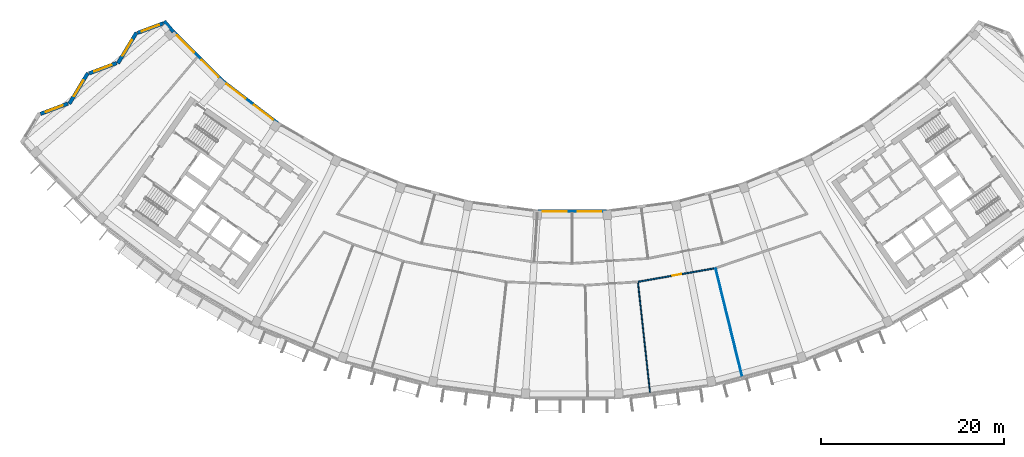
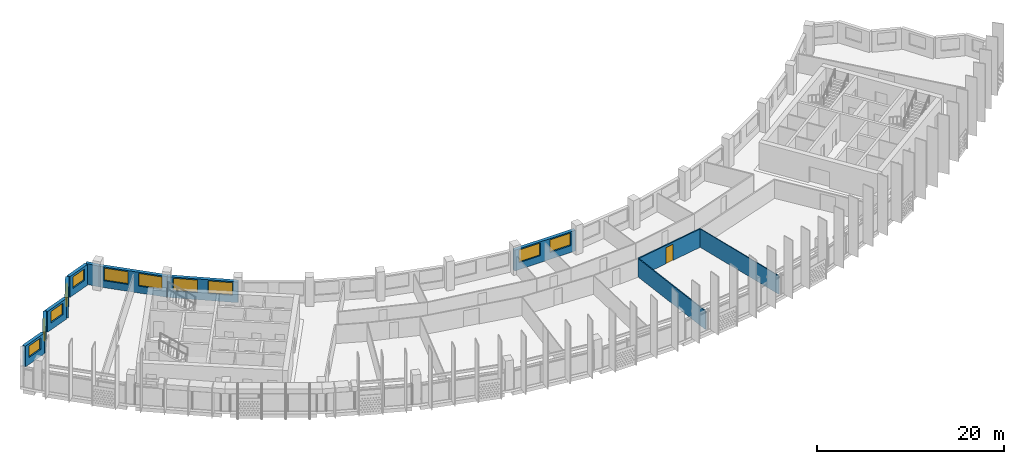
# One storey, part 5 of 28: 12 walls, 11 windows, 1 door, 12 openings.
"""IFC4 building model written with IfcOpenShell, lengths in metres."""

from ifc_helpers import new_model, si_unit, direction, frame, frame_2d, origin, place, context, subcontext, project, spatial, rectangle, extrude, material, layer, layer_set, type_object, element, fill, save


model = new_model("IFC4")

# Units and contexts
model_context = context("Model", 3, precision=1e-05, world=origin(), true_north=direction((0.0, 1.0)))
body_context = subcontext(model_context, "Body", "Model", "MODEL_VIEW")
ifc_project = project(units=[si_unit("LENGTHUNIT", "METRE"), si_unit("AREAUNIT", "SQUARE_METRE"), si_unit("VOLUMEUNIT", "CUBIC_METRE"), si_unit("PLANEANGLEUNIT", "RADIAN"), si_unit("MASSUNIT", "GRAM", prefix="KILO")], contexts=[model_context])

# Site, building, storey
site_placement = place(None, origin())
site = spatial("IfcSite", under=ifc_project, at=site_placement, CompositionType="ELEMENT")
building_placement = place(site_placement, origin())
building = spatial("IfcBuilding", under=site, at=building_placement, Name="Qamariyya Broadcast Tower", CompositionType="ELEMENT")
storey_placement = place(building_placement, frame((0.0, 0.0, 265.699951171875)))
storey = spatial("IfcBuildingStorey", under=building, at=storey_placement, Name="L64", CompositionType="ELEMENT", Elevation=265.699951171875)

# Wall, opening, door
ifc_material_1 = material(Name="Gypsum board partition")
ifc_layer_1 = layer(ifc_material_1, 0.14990234375)
ifc_layer_set_1 = layer_set([ifc_layer_1], Name="Corridor partition 150 EI 60")
wall_type_1 = type_object("IfcWallType", Name="Corridor partition 150 EI 60", PredefinedType="PARTITIONING", material=ifc_layer_set_1)
wall_1_placement = place(storey_placement, frame((15.637939453125, -63.914794921875, 0.0), z_axis=(0.0, 0.0, 1.0), x_axis=(-0.984812101115, -0.173623516545, 0.0)))
wall_1 = element("IfcWall", 1, at=wall_1_placement, inside=storey, type_object=wall_type_1, Name="Partition L64-020", PredefinedType="PARTITIONING", context=body_context, shape_type="SweptSolid", body=[
    extrude(rectangle(XDim=8.60693359375, YDim=0.14990234375, at=frame_2d((4.303466796875, 0.0))), origin(), (0.0, 0.0, 1.0), 2.400146484375),
])
opening_1_placement = place(wall_1_placement, frame((3.803466796875, 0.0, 0.0)))
opening_1 = element("IfcOpeningElement", 2, at=opening_1_placement, cuts=wall_1, Name="Opening L64-D06", PredefinedType="OPENING", context=body_context, shape_type="SweptSolid", body=[
    extrude(rectangle(XDim=1.0, YDim=2.10009765625, at=frame_2d((0.5, 1.050048828125))), frame((0.0, 0.0849609375, 0.0), z_axis=(0.0, -1.0, 0.0), x_axis=(1.0, 0.0, 0.0)), (0.0, 0.0, 1.0), 0.169921875),
])
ifc_material_2 = material(Name="Timber fire door leaf", Category="wood")
door_type = type_object("IfcDoorType", Name="Fire door 1000 x 2100 FD60", OperationType="NOTDEFINED", PredefinedType="DOOR", material=ifc_material_2)
door_placement = place(opening_1_placement, origin())
door = element("IfcDoor", 3, at=door_placement, inside=storey, type_object=door_type, Name="Door L64-D06", OperationType="SINGLE_SWING_RIGHT", OverallHeight=2.10009765625, OverallWidth=1.0, PredefinedType="DOOR", context=body_context, shape_type="SweptSolid", body=[
    extrude(rectangle(XDim=1.0, YDim=2.10009765625, at=frame_2d((0.5, 1.050048828125))), frame((0.0, 0.02490234375, 0.0), z_axis=(0.0, -1.0, 0.0), x_axis=(1.0, 0.0, 0.0)), (0.0, 0.0, 1.0), 0.050048828125),
])
fill(opening_1, door)

# Walls
ifc_material_3 = material(Name="Operable acoustic wall panels")
ifc_layer_2 = layer(ifc_material_3, 0.125)
ifc_layer_set_2 = layer_set([ifc_layer_2], Name="Operable acoustic partition 125")
wall_type_2 = type_object("IfcWallType", Name="Operable acoustic partition 125", PredefinedType="MOVABLE", material=ifc_layer_set_2)
wall_2_placement = place(storey_placement, frame((8.489501953125, -77.53759765625, 0.0), z_axis=(0.0, 0.0, 1.0), x_axis=(-0.108842544862, 0.994059002488, 0.0)))
element("IfcWall", 4, at=wall_2_placement, inside=storey, type_object=wall_type_2, Name="Operable partition L64-023", PredefinedType="MOVABLE", context=body_context, shape_type="SweptSolid", body=[
    extrude(rectangle(XDim=12.1259765625, YDim=0.125, at=frame_2d((6.06298828125, 0.0))), origin(), (0.0, 0.0, 1.0), 2.400146484375),
])
ifc_layer_3 = layer(ifc_material_1, 0.10009765625)
ifc_layer_set_3 = layer_set([ifc_layer_3], Name="Partition 100")
wall_type_3 = type_object("IfcWallType", Name="Partition 100", PredefinedType="PARTITIONING", material=ifc_layer_set_3)
wall_3_placement = place(storey_placement, frame((18.53759765625, -75.76611328125, 0.0), z_axis=(0.0, 0.0, 1.0), x_axis=(-0.237657846319, 0.971348932198, 0.0)))
element("IfcWall", 5, at=wall_3_placement, inside=storey, type_object=wall_type_3, Name="Partition L64-027", PredefinedType="PARTITIONING", context=body_context, shape_type="SweptSolid", body=[
    extrude(rectangle(XDim=12.1259765625, YDim=0.10009765625, at=frame_2d((6.06298828125, 0.0))), origin(), (0.0, 0.0, 1.0), 2.400146484375),
])

# Wall, opening, window
ifc_material_4 = material(Name="Terracotta", Category="masonry")
ifc_layer_4 = layer(ifc_material_4, 0.39990234375)
ifc_layer_set_4 = layer_set([ifc_layer_4], Name="Terracotta clad wall 400")
wall_type_4 = type_object("IfcWallType", Name="Terracotta clad wall 400", PredefinedType="SOLIDWALL", material=ifc_layer_set_4)
wall_4_placement = place(storey_placement, frame((-44.589111328125, -37.224853515625, 0.0), z_axis=(0.0, 0.0, 1.0), x_axis=(-0.936325786994, -0.351132482989, 0.0)))
wall_4 = element("IfcWall", 6, at=wall_4_placement, inside=storey, type_object=wall_type_4, Name="e-wl-L64-capW0", PredefinedType="SOLIDWALL", context=body_context, shape_type="SweptSolid", body=[
    extrude(rectangle(XDim=2.959228515625, YDim=0.39990234375, at=frame_2d((1.4794921875, 0.0))), origin(), (0.0, 0.0, 1.0), 2.699951171875),
])
opening_2_placement = place(wall_4_placement, frame((0.4794921875, 0.0, 0.89990234375)))
opening_2 = element("IfcOpeningElement", 7, at=opening_2_placement, cuts=wall_4, Name="Opening W4", PredefinedType="OPENING", context=body_context, shape_type="SweptSolid", body=[
    extrude(rectangle(XDim=2.0, YDim=1.5, at=frame_2d((1.0, 0.75))), frame((0.0, 0.2099609375, 0.0), z_axis=(0.0, -1.0, 0.0), x_axis=(1.0, 0.0, 0.0)), (0.0, 0.0, 1.0), 0.419921875),
])
ifc_material_5 = material(Name="Clear low-e double glazed unit in aluminium frame", Category="aluminium")
window_type_1 = type_object("IfcWindowType", Name="Horn bay window 2000 x 1500", PartitioningType="SINGLE_PANEL", PredefinedType="WINDOW", material=ifc_material_5)
window_1_placement = place(opening_2_placement, origin())
window_1 = element("IfcWindow", 8, at=window_1_placement, inside=storey, type_object=window_type_1, Name="e-w-L64-capW0", OverallHeight=1.5, OverallWidth=2.0, PartitioningType="SINGLE_PANEL", PredefinedType="WINDOW", context=body_context, shape_type="SweptSolid", body=[
    extrude(rectangle(XDim=2.0, YDim=1.5, at=frame_2d((1.0, 0.75))), frame((0.0, 0.030029296875, 0.0), z_axis=(0.0, -1.0, 0.0), x_axis=(1.0, 0.0, 0.0)), (0.0, 0.0, 1.0), 0.06005859375),
])
fill(opening_2, window_1)

wall_5_placement = place(storey_placement, frame((-47.503173828125, -38.23486328125, 0.0), z_axis=(0.0, 0.0, 1.0), x_axis=(-0.516310930751, -0.856401204335, 0.0)))
wall_5 = element("IfcWall", 9, at=wall_5_placement, inside=storey, type_object=wall_type_4, Name="e-wl-L64-capW1", PredefinedType="SOLIDWALL", context=body_context, shape_type="SweptSolid", body=[
    extrude(rectangle(XDim=3.913818359375, YDim=0.39990234375, at=frame_2d((1.95703125, 0.0))), origin(), (0.0, 0.0, 1.0), 2.699951171875),
])
opening_3_placement = place(wall_5_placement, frame((0.95703125, 0.0, 0.89990234375)))
opening_3 = element("IfcOpeningElement", 10, at=opening_3_placement, cuts=wall_5, Name="Opening W4", PredefinedType="OPENING", context=body_context, shape_type="SweptSolid", body=[
    extrude(rectangle(XDim=2.0, YDim=1.5, at=frame_2d((1.0, 0.75))), frame((0.0, 0.2099609375, 0.0), z_axis=(0.0, -1.0, 0.0), x_axis=(1.0, 0.0, 0.0)), (0.0, 0.0, 1.0), 0.419921875),
])
window_2_placement = place(opening_3_placement, origin())
window_2 = element("IfcWindow", 11, at=window_2_placement, inside=storey, type_object=window_type_1, Name="e-w-L64-capW1", OverallHeight=1.5, OverallWidth=2.0, PartitioningType="SINGLE_PANEL", PredefinedType="WINDOW", context=body_context, shape_type="SweptSolid", body=[
    extrude(rectangle(XDim=2.0, YDim=1.5, at=frame_2d((1.0, 0.75))), frame((0.0, 0.030029296875, 0.0), z_axis=(0.0, -1.0, 0.0), x_axis=(1.0, 0.0, 0.0)), (0.0, 0.0, 1.0), 0.06005859375),
])
fill(opening_3, window_2)

wall_6_placement = place(storey_placement, frame((-49.6669921875, -41.557373046875, 0.0), z_axis=(0.0, 0.0, 1.0), x_axis=(-0.936275852689, -0.351265608438, 0.0)))
wall_6 = element("IfcWall", 12, at=wall_6_placement, inside=storey, type_object=wall_type_4, Name="e-wl-L64-capW2", PredefinedType="SOLIDWALL", context=body_context, shape_type="SweptSolid", body=[
    extrude(rectangle(XDim=3.19921875, YDim=0.39990234375, at=frame_2d((1.599609375, 0.0))), origin(), (0.0, 0.0, 1.0), 2.699951171875),
])
opening_4_placement = place(wall_6_placement, frame((0.599609375, 0.0, 0.89990234375)))
opening_4 = element("IfcOpeningElement", 13, at=opening_4_placement, cuts=wall_6, Name="Opening W4", PredefinedType="OPENING", context=body_context, shape_type="SweptSolid", body=[
    extrude(rectangle(XDim=2.0, YDim=1.5, at=frame_2d((1.0, 0.75))), frame((0.0, 0.2099609375, 0.0), z_axis=(0.0, -1.0, 0.0), x_axis=(1.0, 0.0, 0.0)), (0.0, 0.0, 1.0), 0.419921875),
])
window_3_placement = place(opening_4_placement, origin())
window_3 = element("IfcWindow", 14, at=window_3_placement, inside=storey, type_object=window_type_1, Name="e-w-L64-capW2", OverallHeight=1.5, OverallWidth=2.0, PartitioningType="SINGLE_PANEL", PredefinedType="WINDOW", context=body_context, shape_type="SweptSolid", body=[
    extrude(rectangle(XDim=2.0, YDim=1.5, at=frame_2d((1.0, 0.75))), frame((0.0, 0.030029296875, 0.0), z_axis=(0.0, -1.0, 0.0), x_axis=(1.0, 0.0, 0.0)), (0.0, 0.0, 1.0), 0.06005859375),
])
fill(opening_4, window_3)

wall_7_placement = place(storey_placement, frame((-52.805419921875, -42.652099609375, 0.0), z_axis=(0.0, 0.0, 1.0), x_axis=(-0.516238231536, -0.856445029352, 0.0)))
wall_7 = element("IfcWall", 15, at=wall_7_placement, inside=storey, type_object=wall_type_4, Name="e-wl-L64-capW3", PredefinedType="SOLIDWALL", context=body_context, shape_type="SweptSolid", body=[
    extrude(rectangle(XDim=3.91259765625, YDim=0.39990234375, at=frame_2d((1.956298828125, 0.0))), origin(), (0.0, 0.0, 1.0), 2.699951171875),
])
opening_5_placement = place(wall_7_placement, frame((0.956298828125, 0.0, 0.89990234375)))
opening_5 = element("IfcOpeningElement", 16, at=opening_5_placement, cuts=wall_7, Name="Opening W4", PredefinedType="OPENING", context=body_context, shape_type="SweptSolid", body=[
    extrude(rectangle(XDim=2.0, YDim=1.5, at=frame_2d((1.0, 0.75))), frame((0.0, 0.2099609375, 0.0), z_axis=(0.0, -1.0, 0.0), x_axis=(1.0, 0.0, 0.0)), (0.0, 0.0, 1.0), 0.419921875),
])
window_4_placement = place(opening_5_placement, origin())
window_4 = element("IfcWindow", 17, at=window_4_placement, inside=storey, type_object=window_type_1, Name="e-w-L64-capW3", OverallHeight=1.5, OverallWidth=2.0, PartitioningType="SINGLE_PANEL", PredefinedType="WINDOW", context=body_context, shape_type="SweptSolid", body=[
    extrude(rectangle(XDim=2.0, YDim=1.5, at=frame_2d((1.0, 0.75))), frame((0.0, 0.030029296875, 0.0), z_axis=(0.0, -1.0, 0.0), x_axis=(1.0, 0.0, 0.0)), (0.0, 0.0, 1.0), 0.06005859375),
])
fill(opening_5, window_4)

wall_8_placement = place(storey_placement, frame((-54.96826171875, -45.973876953125, 0.0), z_axis=(0.0, 0.0, 1.0), x_axis=(-0.936253909286, -0.351324091612, 0.0)))
wall_8 = element("IfcWall", 18, at=wall_8_placement, inside=storey, type_object=wall_type_4, Name="e-wl-L64-capW4", PredefinedType="SOLIDWALL", context=body_context, shape_type="SweptSolid", body=[
    extrude(rectangle(XDim=3.2001953125, YDim=0.39990234375, at=frame_2d((1.60009765625, 0.0))), origin(), (0.0, 0.0, 1.0), 2.699951171875),
])
opening_6_placement = place(wall_8_placement, frame((0.60009765625, 0.0, 0.89990234375)))
opening_6 = element("IfcOpeningElement", 19, at=opening_6_placement, cuts=wall_8, Name="Opening W4", PredefinedType="OPENING", context=body_context, shape_type="SweptSolid", body=[
    extrude(rectangle(XDim=2.0, YDim=1.5, at=frame_2d((1.0, 0.75))), frame((0.0, 0.2099609375, 0.0), z_axis=(0.0, -1.0, 0.0), x_axis=(1.0, 0.0, 0.0)), (0.0, 0.0, 1.0), 0.419921875),
])
window_5_placement = place(opening_6_placement, origin())
window_5 = element("IfcWindow", 20, at=window_5_placement, inside=storey, type_object=window_type_1, Name="e-w-L64-capW4", OverallHeight=1.5, OverallWidth=2.0, PartitioningType="SINGLE_PANEL", PredefinedType="WINDOW", context=body_context, shape_type="SweptSolid", body=[
    extrude(rectangle(XDim=2.0, YDim=1.5, at=frame_2d((1.0, 0.75))), frame((0.0, 0.030029296875, 0.0), z_axis=(0.0, -1.0, 0.0), x_axis=(1.0, 0.0, 0.0)), (0.0, 0.0, 1.0), 0.06005859375),
])
fill(opening_6, window_5)

# Wall
wall_9_placement = place(storey_placement, frame((-43.480712890625, -38.15869140625, 0.0), z_axis=(0.0, 0.0, 1.0), x_axis=(-0.649804948836, 0.76010099886, 0.0)))
element("IfcWall", 21, at=wall_9_placement, inside=storey, type_object=wall_type_4, Name="e-wl-L64-in00", PredefinedType="SOLIDWALL", context=body_context, shape_type="SweptSolid", body=[
    extrude(rectangle(XDim=1.529541015625, YDim=0.39990234375, at=frame_2d((0.7646484375, 0.0))), origin(), (0.0, 0.0, 1.0), 2.699951171875),
])

# Wall, openings, windows
wall_10_placement = place(storey_placement, frame((-38.17919921875, -43.45849609375, 0.0), z_axis=(0.0, 0.0, 1.0), x_axis=(-0.707106781187, 0.707106781187, 0.0)))
wall_10 = element("IfcWall", 22, at=wall_10_placement, inside=storey, type_object=wall_type_4, Name="e-wl-L64-in10", PredefinedType="SOLIDWALL", context=body_context, shape_type="SweptSolid", body=[
    extrude(rectangle(XDim=7.48095703125, YDim=0.39990234375, at=frame_2d((3.740478515625, 0.0))), origin(), (0.0, 0.0, 1.0), 2.699951171875),
])
opening_7_placement = place(wall_10_placement, frame((4.318115234375, 0.0, 0.89990234375)))
opening_7 = element("IfcOpeningElement", 23, at=opening_7_placement, cuts=wall_10, Name="Opening W1", PredefinedType="OPENING", context=body_context, shape_type="SweptSolid", body=[
    extrude(rectangle(XDim=2.60009765625, YDim=1.64990234375, at=frame_2d((1.300048828125, 0.824951171875))), frame((0.0, 0.2099609375, 0.0), z_axis=(0.0, -1.0, 0.0), x_axis=(1.0, 0.0, 0.0)), (0.0, 0.0, 1.0), 0.419921875),
])
opening_8_placement = place(wall_10_placement, frame((0.547607421875, 0.0, 0.89990234375)))
opening_8 = element("IfcOpeningElement", 24, at=opening_8_placement, cuts=wall_10, Name="Opening W1", PredefinedType="OPENING", context=body_context, shape_type="SweptSolid", body=[
    extrude(rectangle(XDim=2.60009765625, YDim=1.64990234375, at=frame_2d((1.300048828125, 0.824951171875))), frame((0.0, 0.2099609375, 0.0), z_axis=(0.0, -1.0, 0.0), x_axis=(1.0, 0.0, 0.0)), (0.0, 0.0, 1.0), 0.419921875),
])
window_type_2 = type_object("IfcWindowType", Name="Ribbon window 2600 x 1650", PartitioningType="SINGLE_PANEL", PredefinedType="WINDOW", material=ifc_material_5)
window_6_placement = place(opening_7_placement, origin())
window_6 = element("IfcWindow", 25, at=window_6_placement, inside=storey, type_object=window_type_2, Name="e-w-L64-in01-0", OverallHeight=1.64990234375, OverallWidth=2.60009765625, PartitioningType="SINGLE_PANEL", PredefinedType="WINDOW", context=body_context, shape_type="SweptSolid", body=[
    extrude(rectangle(XDim=2.60009765625, YDim=1.64990234375, at=frame_2d((1.300048828125, 0.824951171875))), frame((0.0, 0.030029296875, 0.0), z_axis=(0.0, -1.0, 0.0), x_axis=(1.0, 0.0, 0.0)), (0.0, 0.0, 1.0), 0.06005859375),
])
fill(opening_7, window_6)
window_7_placement = place(opening_8_placement, origin())
window_7 = element("IfcWindow", 26, at=window_7_placement, inside=storey, type_object=window_type_2, Name="e-w-L64-in01-1", OverallHeight=1.64990234375, OverallWidth=2.60009765625, PartitioningType="SINGLE_PANEL", PredefinedType="WINDOW", context=body_context, shape_type="SweptSolid", body=[
    extrude(rectangle(XDim=2.60009765625, YDim=1.64990234375, at=frame_2d((1.300048828125, 0.824951171875))), frame((0.0, 0.030029296875, 0.0), z_axis=(0.0, -1.0, 0.0), x_axis=(1.0, 0.0, 0.0)), (0.0, 0.0, 1.0), 0.06005859375),
])
fill(opening_8, window_7)

wall_11_placement = place(storey_placement, frame((-32.1201171875, -48.1162109375, 0.0), z_axis=(0.0, 0.0, 1.0), x_axis=(-0.793347844099, 0.608768591719, 0.0)))
wall_11 = element("IfcWall", 27, at=wall_11_placement, inside=storey, type_object=wall_type_4, Name="e-wl-L64-in20", PredefinedType="SOLIDWALL", context=body_context, shape_type="SweptSolid", body=[
    extrude(rectangle(XDim=7.617431640625, YDim=0.39990234375, at=frame_2d((3.80859375, 0.0))), origin(), (0.0, 0.0, 1.0), 2.699951171875),
])
opening_9_placement = place(wall_11_placement, frame((4.393798828125, 0.0, 0.89990234375)))
opening_9 = element("IfcOpeningElement", 28, at=opening_9_placement, cuts=wall_11, Name="Opening W1", PredefinedType="OPENING", context=body_context, shape_type="SweptSolid", body=[
    extrude(rectangle(XDim=2.60009765625, YDim=1.64990234375, at=frame_2d((1.300048828125, 0.824951171875))), frame((0.0, 0.2099609375, 0.0), z_axis=(0.0, -1.0, 0.0), x_axis=(1.0, 0.0, 0.0)), (0.0, 0.0, 1.0), 0.419921875),
])
opening_10_placement = place(wall_11_placement, frame((0.623291015625, 0.0, 0.89990234375)))
opening_10 = element("IfcOpeningElement", 29, at=opening_10_placement, cuts=wall_11, Name="Opening W1", PredefinedType="OPENING", context=body_context, shape_type="SweptSolid", body=[
    extrude(rectangle(XDim=2.60009765625, YDim=1.64990234375, at=frame_2d((1.300048828125, 0.824951171875))), frame((0.0, 0.2099609375, 0.0), z_axis=(0.0, -1.0, 0.0), x_axis=(1.0, 0.0, 0.0)), (0.0, 0.0, 1.0), 0.419921875),
])
window_8_placement = place(opening_9_placement, origin())
window_8 = element("IfcWindow", 30, at=window_8_placement, inside=storey, type_object=window_type_2, Name="e-w-L64-in02-0", OverallHeight=1.64990234375, OverallWidth=2.60009765625, PartitioningType="SINGLE_PANEL", PredefinedType="WINDOW", context=body_context, shape_type="SweptSolid", body=[
    extrude(rectangle(XDim=2.60009765625, YDim=1.64990234375, at=frame_2d((1.300048828125, 0.824951171875))), frame((0.0, 0.030029296875, 0.0), z_axis=(0.0, -1.0, 0.0), x_axis=(1.0, 0.0, 0.0)), (0.0, 0.0, 1.0), 0.06005859375),
])
fill(opening_9, window_8)
window_9_placement = place(opening_10_placement, origin())
window_9 = element("IfcWindow", 31, at=window_9_placement, inside=storey, type_object=window_type_2, Name="e-w-L64-in02-1", OverallHeight=1.64990234375, OverallWidth=2.60009765625, PartitioningType="SINGLE_PANEL", PredefinedType="WINDOW", context=body_context, shape_type="SweptSolid", body=[
    extrude(rectangle(XDim=2.60009765625, YDim=1.64990234375, at=frame_2d((1.300048828125, 0.824951171875))), frame((0.0, 0.030029296875, 0.0), z_axis=(0.0, -1.0, 0.0), x_axis=(1.0, 0.0, 0.0)), (0.0, 0.0, 1.0), 0.06005859375),
])
fill(opening_10, window_9)

wall_12_placement = place(storey_placement, frame((3.73291015625, -57.7265625, 0.0), z_axis=(0.0, 0.0, 1.0), x_axis=(-1.0, 0.0, 0.0)))
wall_12 = element("IfcWall", 32, at=wall_12_placement, inside=storey, type_object=wall_type_4, Name="e-wl-L64-in70", PredefinedType="SOLIDWALL", context=body_context, shape_type="SweptSolid", body=[
    extrude(rectangle(XDim=7.4658203125, YDim=0.39990234375, at=frame_2d((3.73291015625, 0.0))), origin(), (0.0, 0.0, 1.0), 2.699951171875),
])
opening_11_placement = place(wall_12_placement, frame((4.318115234375, 0.0, 0.89990234375)))
opening_11 = element("IfcOpeningElement", 33, at=opening_11_placement, cuts=wall_12, Name="Opening W1", PredefinedType="OPENING", context=body_context, shape_type="SweptSolid", body=[
    extrude(rectangle(XDim=2.60009765625, YDim=1.64990234375, at=frame_2d((1.300048828125, 0.824951171875))), frame((0.0, 0.2099609375, 0.0), z_axis=(0.0, -1.0, 0.0), x_axis=(1.0, 0.0, 0.0)), (0.0, 0.0, 1.0), 0.419921875),
])
opening_12_placement = place(wall_12_placement, frame((0.547607421875, 0.0, 0.89990234375)))
opening_12 = element("IfcOpeningElement", 34, at=opening_12_placement, cuts=wall_12, Name="Opening W1", PredefinedType="OPENING", context=body_context, shape_type="SweptSolid", body=[
    extrude(rectangle(XDim=2.60009765625, YDim=1.64990234375, at=frame_2d((1.300048828125, 0.824951171875))), frame((0.0, 0.2099609375, 0.0), z_axis=(0.0, -1.0, 0.0), x_axis=(1.0, 0.0, 0.0)), (0.0, 0.0, 1.0), 0.419921875),
])
window_10_placement = place(opening_11_placement, origin())
window_10 = element("IfcWindow", 35, at=window_10_placement, inside=storey, type_object=window_type_2, Name="e-w-L64-in07-0", OverallHeight=1.64990234375, OverallWidth=2.60009765625, PartitioningType="SINGLE_PANEL", PredefinedType="WINDOW", context=body_context, shape_type="SweptSolid", body=[
    extrude(rectangle(XDim=2.60009765625, YDim=1.64990234375, at=frame_2d((1.300048828125, 0.824951171875))), frame((0.0, 0.030029296875, 0.0), z_axis=(0.0, -1.0, 0.0), x_axis=(1.0, 0.0, 0.0)), (0.0, 0.0, 1.0), 0.06005859375),
])
fill(opening_11, window_10)
window_11_placement = place(opening_12_placement, origin())
window_11 = element("IfcWindow", 36, at=window_11_placement, inside=storey, type_object=window_type_2, Name="e-w-L64-in07-1", OverallHeight=1.64990234375, OverallWidth=2.60009765625, PartitioningType="SINGLE_PANEL", PredefinedType="WINDOW", context=body_context, shape_type="SweptSolid", body=[
    extrude(rectangle(XDim=2.60009765625, YDim=1.64990234375, at=frame_2d((1.300048828125, 0.824951171875))), frame((0.0, 0.030029296875, 0.0), z_axis=(0.0, -1.0, 0.0), x_axis=(1.0, 0.0, 0.0)), (0.0, 0.0, 1.0), 0.06005859375),
])
fill(opening_12, window_11)

save(model, "model.ifc")
